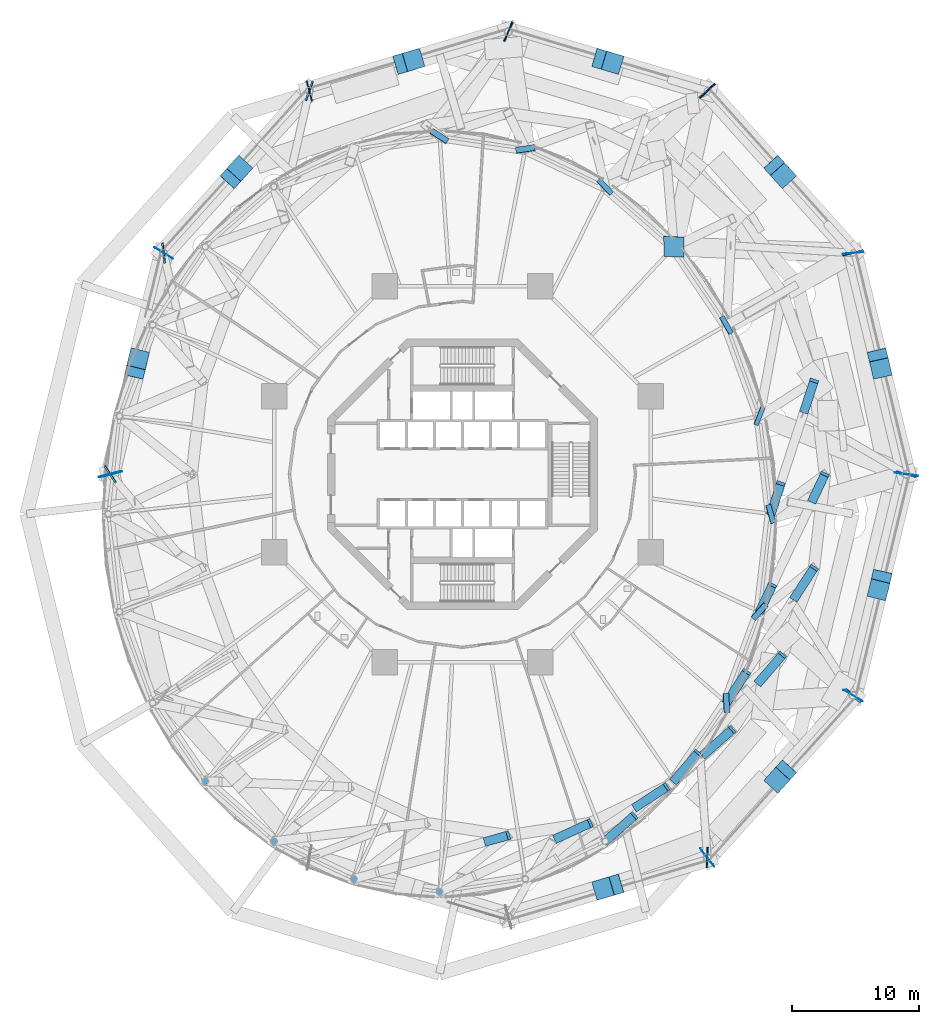
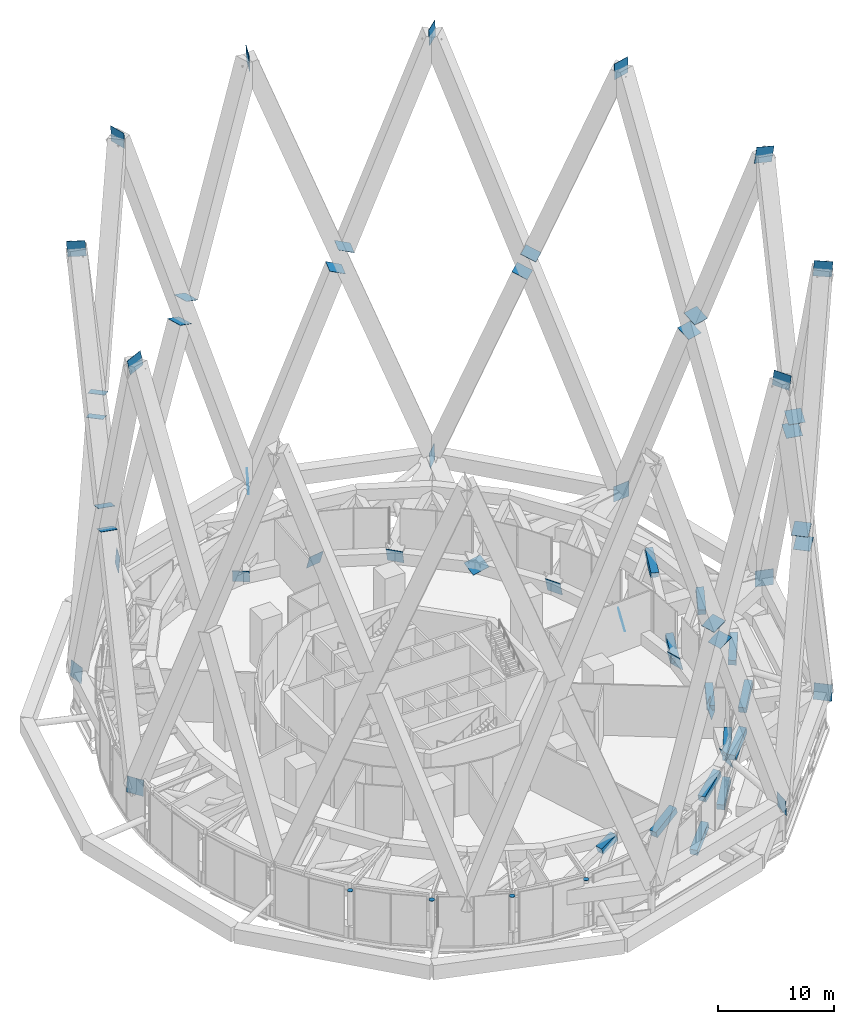
# One storey, part 41 of 49: 62 discrete accessories.
"""IFC4 building model written with IfcOpenShell, lengths in metres."""

from ifc_helpers import new_model, si_unit, direction, frame, origin, origin_2d, place, context, subcontext, project, spatial, rectangle, circle, extrude, material, layer, layer_set, type_object, element, save


model = new_model("IFC4")

# Units and contexts
model_context = context("Model", 3, precision=1e-05, world=origin(), true_north=direction((0.0, 1.0)))
body_context = subcontext(model_context, "Body", "Model", "MODEL_VIEW")
ifc_project = project(units=[si_unit("LENGTHUNIT", "METRE"), si_unit("AREAUNIT", "SQUARE_METRE"), si_unit("VOLUMEUNIT", "CUBIC_METRE"), si_unit("PLANEANGLEUNIT", "RADIAN"), si_unit("MASSUNIT", "GRAM", prefix="KILO")], contexts=[model_context])

# Site, building, storey
site_placement = place(None, origin())
site = spatial("IfcSite", under=ifc_project, at=site_placement, CompositionType="ELEMENT")
building_placement = place(site_placement, origin())
building = spatial("IfcBuilding", under=site, at=building_placement, Name="Nagisa Residences", CompositionType="ELEMENT")
storey_placement = place(building_placement, frame((0.0, 0.0, 160.300048828125)))
storey = spatial("IfcBuildingStorey", under=building, at=storey_placement, Name="L40", CompositionType="ELEMENT", Elevation=160.300048828125)

# Discrete accessories
ifc_material_1 = material(Name="Steel ASTM A572 Gr 50", Category="steel")
discrete_accessory_type_1 = type_object("IfcDiscreteAccessoryType", Name="Belt node casting BX 700x700x40", PredefinedType="BRACKET", material=ifc_material_1)
for number, where, z_axis, x_axis, name in (
    (1, (24.235107421875, -3.11767578125, 0.599853515625), (0.288629263133, 0.890242015177, 0.352366716472), (-0.951253505348, 0.3084100656, 0.0), "Belt node 3E01"),
    (2, (26.848876953125, 4.943359375, 3.7900390625), (0.288721463006, 0.890247145105, 0.352278210272), (-0.951225120687, 0.308497600922, 0.0), "Belt node 3E01"),
):
    element("IfcDiscreteAccessory", number, at=place(storey_placement, frame(where, z_axis=z_axis, x_axis=x_axis)), inside=storey, type_object=discrete_accessory_type_1, Name=name, PredefinedType="BRACKET", context=body_context, shape_type="SweptSolid", body=[
        extrude(rectangle(XDim=0.699951171875, YDim=0.699951171875, at=origin_2d()), origin(), (0.0, 0.0, 1.0), 2.696533203125),
    ])
discrete_accessory_1_placement = place(storey_placement, frame((1.826171875, -28.875732421875, 4.135009765625), z_axis=(0.914401170647, 0.258111313102, 0.311847798082), x_axis=(-0.271658352766, 0.962393754849, 0.0)))
element("IfcDiscreteAccessory", 3, at=discrete_accessory_1_placement, inside=storey, type_object=discrete_accessory_type_1, Name="Belt node 3E18", PredefinedType="BRACKET", context=body_context, shape_type="SweptSolid", body=[
    extrude(rectangle(XDim=0.699951171875, YDim=0.699951171875, at=origin_2d()), origin(), (0.0, 0.0, 1.0), 1.93994140625),
])
discrete_accessory_2_placement = place(storey_placement, frame((7.321533203125, -28.6484375, 3.7900390625), z_axis=(0.866875897266, 0.395769709546, 0.303137783433), x_axis=(-0.41531146918, 0.909679275112, 0.0)))
element("IfcDiscreteAccessory", 4, at=discrete_accessory_2_placement, inside=storey, type_object=discrete_accessory_type_1, Name="Belt node 3E19", PredefinedType="BRACKET", context=body_context, shape_type="SweptSolid", body=[
    extrude(rectangle(XDim=0.699951171875, YDim=0.699951171875, at=origin_2d()), origin(), (0.0, 0.0, 1.0), 3.1337890625),
])
discrete_accessory_3_placement = place(storey_placement, frame((13.5576171875, -26.188232421875, 3.81494140625), z_axis=(0.799851245247, 0.520793082897, 0.298349711384), x_axis=(-0.545643530625, 0.838017384955, 0.0)))
element("IfcDiscreteAccessory", 5, at=discrete_accessory_3_placement, inside=storey, type_object=discrete_accessory_type_1, Name="Belt node 3E20", PredefinedType="BRACKET", context=body_context, shape_type="SweptSolid", body=[
    extrude(rectangle(XDim=0.699951171875, YDim=0.699951171875, at=origin_2d()), origin(), (0.0, 0.0, 1.0), 3.1005859375),
])
for number, where, z_axis, x_axis, name in (
    (6, (11.217529296875, -28.834228515625, 0.599853515625), (0.716843383068, 0.630488690421, 0.297690401931), (-0.660431003277, 0.75088673574, 0.0), "Belt node 3E21"),
    (7, (18.901123046875, -22.07666015625, 3.7900390625), (0.716859703819, 0.63050304509, 0.297620690094), (-0.660431003277, 0.75088673574, 0.0), "Belt node 3E21"),
):
    element("IfcDiscreteAccessory", number, at=place(storey_placement, frame(where, z_axis=z_axis, x_axis=x_axis)), inside=storey, type_object=discrete_accessory_type_1, Name=name, PredefinedType="BRACKET", context=body_context, shape_type="SweptSolid", body=[
        extrude(rectangle(XDim=0.699951171875, YDim=0.699951171875, at=origin_2d()), origin(), (0.0, 0.0, 1.0), 3.19189453125),
    ])
for number, where, z_axis, x_axis, name in (
    (8, (16.609619140625, -24.115234375, 0.599853515625), (0.621462335046, 0.723089611503, 0.301539350427), (-0.75838982722, 0.651801250359, 0.0), "Belt node 3E22"),
    (9, (23.23583984375, -16.40576171875, 3.81494140625), (0.621462335046, 0.723089611503, 0.301539350427), (-0.75838982722, 0.651801250359, 0.0), "Belt node 3E22"),
):
    element("IfcDiscreteAccessory", number, at=place(storey_placement, frame(where, z_axis=z_axis, x_axis=x_axis)), inside=storey, type_object=discrete_accessory_type_1, Name=name, PredefinedType="BRACKET", context=body_context, shape_type="SweptSolid", body=[
        extrude(rectangle(XDim=0.699951171875, YDim=0.699951171875, at=origin_2d()), origin(), (0.0, 0.0, 1.0), 3.06787109375),
    ])
discrete_accessory_4_placement = place(storey_placement, frame((20.7470703125, -17.965087890625, 0.599853515625), z_axis=(0.516764902154, 0.797641449405, 0.311001855448), x_axis=(-0.839260985456, 0.543728791119, 0.0)))
element("IfcDiscreteAccessory", 10, at=discrete_accessory_4_placement, inside=storey, type_object=discrete_accessory_type_1, Name="Belt node 3E23", PredefinedType="BRACKET", context=body_context, shape_type="SweptSolid", body=[
    extrude(rectangle(XDim=0.699951171875, YDim=0.699951171875, at=origin_2d()), origin(), (0.0, 0.0, 1.0), 3.05517578125),
])
discrete_accessory_5_placement = place(storey_placement, frame((26.048583984375, -9.78125, 3.7900390625), z_axis=(0.516744804907, 0.7976903336, 0.310909855558), x_axis=(-0.839285839563, 0.54369042617, 0.0)))
element("IfcDiscreteAccessory", 11, at=discrete_accessory_5_placement, inside=storey, type_object=discrete_accessory_type_1, Name="Belt node 3E23", PredefinedType="BRACKET", context=body_context, shape_type="SweptSolid", body=[
    extrude(rectangle(XDim=0.699951171875, YDim=0.699951171875, at=origin_2d()), origin(), (0.0, 0.0, 1.0), 3.055419921875),
])
for number, where, z_axis, x_axis, name in (
    (12, (23.347900390625, -10.80322265625, 0.599853515625), (0.40511911802, 0.853697009905, 0.327230676274), (-0.903436150138, 0.428722663995, 0.0), "Belt node 3E24"),
    (13, (27.47802734375, -2.1005859375, 3.93505859375), (0.405215203417, 0.853690404066, 0.327128924013), (-0.903395478205, 0.428808360412, 0.0), "Belt node 3E24"),
):
    element("IfcDiscreteAccessory", number, at=place(storey_placement, frame(where, z_axis=z_axis, x_axis=x_axis)), inside=storey, type_object=discrete_accessory_type_1, Name=name, PredefinedType="BRACKET", context=body_context, shape_type="SweptSolid", body=[
        extrude(rectangle(XDim=0.699951171875, YDim=0.699951171875, at=origin_2d()), origin(), (0.0, 0.0, 1.0), 2.460693359375),
    ])
ifc_material_2 = material(Name="Steel ASTM A572 Gr 50", Category="steel")
ifc_layer_1 = layer(ifc_material_2, 0.030029296875)
ifc_layer_set_1 = layer_set([ifc_layer_1], Name="End plate")
discrete_accessory_type_2 = type_object("IfcDiscreteAccessoryType", Name="End plate", PredefinedType="ANCHORPLATE", material=ifc_layer_set_1)
for number, where, z_axis, x_axis, name in (
    (14, (-20.20947265625, -24.115234375, 4.737060546875), (0.0, 0.0, 1.0), (1.0, 0.0, 0.0), "End plate GP316"),
    (15, (-14.8173828125, -28.834228515625, 4.737060546875), (0.0, 0.0, 1.0), (1.0, 0.0, 0.0), "End plate GP317"),
    (16, (-8.538330078125, -31.80078125, 4.737060546875), (0.0, 0.0, 1.0), (1.0, 0.0, 0.0), "End plate GP318"),
    (17, (-1.800048828125, -32.812744140625, 4.737060546875), (0.0, 0.0, 1.0), (1.0, 0.0, 0.0), "End plate GP319"),
):
    element("IfcDiscreteAccessory", number, at=place(storey_placement, frame(where, z_axis=z_axis, x_axis=x_axis)), inside=storey, type_object=discrete_accessory_type_2, Name=name, PredefinedType="ANCHORPLATE", context=body_context, shape_type="SweptSolid", body=[
        extrude(circle(Radius=0.25390625, at=origin_2d()), origin(), (0.0, 0.0, 1.0), 0.02978515625),
    ])
ifc_material_3 = material(Name="Steel ASTM A572 Gr 50", Category="steel")
ifc_layer_2 = layer(ifc_material_3, 0.030029296875)
ifc_layer_set_2 = layer_set([ifc_layer_2], Name="Node plate")
discrete_accessory_type_3 = type_object("IfcDiscreteAccessoryType", Name="Node plate", PredefinedType="ANCHORPLATE", material=ifc_layer_set_2)
discrete_accessory_6_placement = place(storey_placement, frame((34.870849609375, -0.014404296875, 3.70068359375), z_axis=(0.276541602665, 0.95976203278, -0.048801459294), x_axis=(-0.960622804253, 0.277502167054, 0.014013394623)))
element("IfcDiscreteAccessory", 18, at=discrete_accessory_6_placement, inside=storey, type_object=discrete_accessory_type_3, Name="Node plate ST4B01", PredefinedType="ANCHORPLATE", context=body_context, shape_type="SweptSolid", body=[
    extrude(rectangle(XDim=1.6201171875, YDim=1.6201171875, at=origin_2d()), origin(), (0.0, 0.0, 1.0), 0.030029296875),
])
discrete_accessory_7_placement = place(storey_placement, frame((30.68359375, 17.40234375, 3.699951171875), z_axis=(0.089799658539, -0.995959849254, 0.0), x_axis=(-0.99595974817, -0.089799649425, 0.00045054146)))
element("IfcDiscreteAccessory", 19, at=discrete_accessory_7_placement, inside=storey, type_object=discrete_accessory_type_3, Name="Node plate ST4B02", PredefinedType="ANCHORPLATE", context=body_context, shape_type="SweptSolid", body=[
    extrude(rectangle(XDim=1.6201171875, YDim=1.6201171875, at=origin_2d()), origin(), (0.0, 0.0, 1.0), 0.02978515625),
])
for number, where, z_axis, x_axis, name in (
    (20, (19.226806640625, 30.126708984375, 3.69921875), (0.706267485008, -0.706267485008, 0.048708102414), (-0.707672566995, -0.70623148215, 0.020895730253), "Node plate ST4B03"),
    (21, (3.586669921875, 34.78173828125, 3.699462890625), (0.893954480553, -0.446977240277, 0.032507435656), (-0.447445113842, -0.894270841723, 0.008516556961), "Node plate ST4B04"),
):
    element("IfcDiscreteAccessory", number, at=place(storey_placement, frame(where, z_axis=z_axis, x_axis=x_axis)), inside=storey, type_object=discrete_accessory_type_3, Name=name, PredefinedType="ANCHORPLATE", context=body_context, shape_type="SweptSolid", body=[
        extrude(rectangle(XDim=1.6201171875, YDim=1.6201171875, at=origin_2d()), origin(), (0.0, 0.0, 1.0), 0.030029296875),
    ])
discrete_accessory_8_placement = place(storey_placement, frame((-12.051513671875, 30.12109375, 3.701171875), z_axis=(0.938783330173, -0.33469666554, -0.081633333059), x_axis=(-0.335107438249, -0.942136696926, 0.009024917533)))
element("IfcDiscreteAccessory", 22, at=discrete_accessory_8_placement, inside=storey, type_object=discrete_accessory_type_3, Name="Node plate ST4B05", PredefinedType="ANCHORPLATE", context=body_context, shape_type="SweptSolid", body=[
    extrude(rectangle(XDim=1.6201171875, YDim=1.6201171875, at=origin_2d()), origin(), (0.0, 0.0, 1.0), 0.02978515625),
])
for number, where, z_axis, x_axis, name in (
    (23, (-23.469970703125, 17.38916015625, 3.69873046875), (-0.990202332234, -0.11362977583, 0.081164125593), (0.114769262011, -0.993346754784, 0.009499539842), "Node plate ST4B06"),
    (24, (-27.66259765625, 0.00830078125, 3.69873046875), (-0.829295700621, -0.552863800414, 0.081303500061), (0.555361831366, -0.83154658825, 0.010173879837), "Node plate ST4B07"),
):
    element("IfcDiscreteAccessory", number, at=place(storey_placement, frame(where, z_axis=z_axis, x_axis=x_axis)), inside=storey, type_object=discrete_accessory_type_3, Name=name, PredefinedType="ANCHORPLATE", context=body_context, shape_type="SweptSolid", body=[
        extrude(rectangle(XDim=1.6201171875, YDim=1.6201171875, at=origin_2d()), origin(), (0.0, 0.0, 1.0), 0.030029296875),
    ])
discrete_accessory_9_placement = place(storey_placement, frame((19.22265625, -30.115478515625, 3.698974609375), z_axis=(0.997023554089, -0.040861621069, 0.065378593711), x_axis=(0.040534880871, 0.999158155664, 0.006316914001)))
element("IfcDiscreteAccessory", 25, at=discrete_accessory_9_placement, inside=storey, type_object=discrete_accessory_type_3, Name="Node plate ST4B11", PredefinedType="ANCHORPLATE", context=body_context, shape_type="SweptSolid", body=[
    extrude(rectangle(XDim=1.6201171875, YDim=1.6201171875, at=origin_2d()), origin(), (0.0, 0.0, 1.0), 0.02978515625),
])
discrete_accessory_10_placement = place(storey_placement, frame((30.694091796875, -17.375732421875, 3.697998046875), z_axis=(-0.610401983049, -0.781314538303, 0.130219089717), x_axis=(-0.783844636388, 0.619489511647, 0.042665336811)))
element("IfcDiscreteAccessory", 26, at=discrete_accessory_10_placement, inside=storey, type_object=discrete_accessory_type_3, Name="Node plate ST4B12", PredefinedType="ANCHORPLATE", context=body_context, shape_type="SweptSolid", body=[
    extrude(rectangle(XDim=1.6201171875, YDim=1.6201171875, at=origin_2d()), origin(), (0.0, 0.0, 1.0), 0.030029296875),
])
for number, where, z_axis, x_axis, name in (
    (27, (24.235107421875, -3.11767578125, 0.599853515625), (-0.925453945873, -0.267894563279, -0.267894563279), (0.278058076541, -0.960564264415, 0.0), "Node plate OB401"),
    (28, (23.347900390625, 4.56787109375, 0.599853515625), (-0.903365016715, 0.358090637256, -0.236014283646), (-0.368500941406, -0.92962737491, 0.0), "Node plate OB402"),
):
    element("IfcDiscreteAccessory", number, at=place(storey_placement, frame(where, z_axis=z_axis, x_axis=x_axis)), inside=storey, type_object=discrete_accessory_type_3, Name=name, PredefinedType="ANCHORPLATE", context=body_context, shape_type="SweptSolid", body=[
        extrude(rectangle(XDim=1.5, YDim=1.5, at=origin_2d()), origin(), (0.0, 0.0, 1.0), 0.030029296875),
    ])
discrete_accessory_11_placement = place(storey_placement, frame((20.7470703125, 11.729736328125, 0.599853515625), z_axis=(-0.84107559012, -0.473615380844, -0.261305037707), x_axis=(0.490662835246, -0.871349517764, 0.0)))
element("IfcDiscreteAccessory", 29, at=discrete_accessory_11_placement, inside=storey, type_object=discrete_accessory_type_3, Name="Node plate OB403", PredefinedType="ANCHORPLATE", context=body_context, shape_type="SweptSolid", body=[
    extrude(rectangle(XDim=1.5, YDim=1.5, at=origin_2d()), origin(), (0.0, 0.0, 1.0), 0.02978515625),
])
discrete_accessory_12_placement = place(storey_placement, frame((16.61279296875, 17.8828125, 0.585693359375), z_axis=(-0.220498180898, -0.19599838302, 0.955492117223), x_axis=(0.975378808606, -0.040199281026, 0.216841411006)))
element("IfcDiscreteAccessory", 30, at=discrete_accessory_12_placement, inside=storey, type_object=discrete_accessory_type_3, Name="Node plate OB404", PredefinedType="ANCHORPLATE", context=body_context, shape_type="SweptSolid", body=[
    extrude(rectangle(XDim=1.6201171875, YDim=1.6201171875, at=origin_2d()), origin(), (0.0, 0.0, 1.0), 0.02978515625),
])
discrete_accessory_13_placement = place(storey_placement, frame((11.217529296875, 22.598876953125, 0.599853515625), z_axis=(-0.701112842841, -0.660350468257, -0.269031672253), x_axis=(0.685628685841, -0.727951444227, 0.0)))
element("IfcDiscreteAccessory", 31, at=discrete_accessory_13_placement, inside=storey, type_object=discrete_accessory_type_3, Name="Node plate OB405", PredefinedType="ANCHORPLATE", context=body_context, shape_type="SweptSolid", body=[
    extrude(rectangle(XDim=1.5, YDim=1.5, at=origin_2d()), origin(), (0.0, 0.0, 1.0), 0.030029296875),
])
discrete_accessory_14_placement = place(storey_placement, frame((4.938232421875, 25.5654296875, 0.599853515625), z_axis=(0.138999153984, -0.940288394594, -0.310703991257), x_axis=(0.989249599377, 0.146236897299, 0.0)))
element("IfcDiscreteAccessory", 32, at=discrete_accessory_14_placement, inside=storey, type_object=discrete_accessory_type_3, Name="Node plate OB407", PredefinedType="ANCHORPLATE", context=body_context, shape_type="SweptSolid", body=[
    extrude(rectangle(XDim=1.5, YDim=1.5, at=origin_2d()), origin(), (0.0, 0.0, 1.0), 0.02978515625),
])
discrete_accessory_15_placement = place(storey_placement, frame((-1.800048828125, 26.577392578125, 0.599853515625), z_axis=(-0.521360059492, -0.798332591097, -0.301411284394), x_axis=(0.837270504562, -0.546788900939, 0.0)))
element("IfcDiscreteAccessory", 33, at=discrete_accessory_15_placement, inside=storey, type_object=discrete_accessory_type_3, Name="Node plate OB408", PredefinedType="ANCHORPLATE", context=body_context, shape_type="SweptSolid", body=[
    extrude(rectangle(XDim=1.5, YDim=1.5, at=origin_2d()), origin(), (0.0, 0.0, 1.0), 0.030029296875),
])
discrete_accessory_16_placement = place(storey_placement, frame((23.347900390625, -10.80322265625, 0.599853515625), z_axis=(-0.711562711977, 0.637952776255, -0.294439742887), x_axis=(-0.667545015752, -0.744569440646, 0.0)))
element("IfcDiscreteAccessory", 34, at=discrete_accessory_16_placement, inside=storey, type_object=discrete_accessory_type_3, Name="Node plate OB409", PredefinedType="ANCHORPLATE", context=body_context, shape_type="SweptSolid", body=[
    extrude(rectangle(XDim=1.5, YDim=1.5, at=origin_2d()), origin(), (0.0, 0.0, 1.0), 0.02978515625),
])
discrete_accessory_17_placement = place(storey_placement, frame((20.7470703125, -17.965087890625, 0.599853515625), z_axis=(-0.954941373276, -0.056649064516, -0.291338046084), x_axis=(0.059217928392, -0.998245078604, 0.0)))
element("IfcDiscreteAccessory", 35, at=discrete_accessory_17_placement, inside=storey, type_object=discrete_accessory_type_3, Name="Node plate OB410", PredefinedType="ANCHORPLATE", context=body_context, shape_type="SweptSolid", body=[
    extrude(rectangle(XDim=1.5, YDim=1.5, at=origin_2d()), origin(), (0.0, 0.0, 1.0), 0.0302734375),
])
discrete_accessory_18_placement = place(storey_placement, frame((30.688720703125, 17.373046875, 48.200439453125), z_axis=(-0.251957588699, 0.967192034037, -0.032510656606), x_axis=(-4.9045965e-05, -0.033607234366, -0.99943511615)))
element("IfcDiscreteAccessory", 36, at=discrete_accessory_18_placement, inside=storey, type_object=discrete_accessory_type_3, Name="Node plate CD4001", PredefinedType="ANCHORPLATE", context=body_context, shape_type="SweptSolid", body=[
    extrude(rectangle(XDim=1.6201171875, YDim=1.6201171875, at=origin_2d()), origin(), (0.0, 0.0, 1.0), 0.030029296875),
])
for number, where, z_axis, x_axis, name in (
    (37, (32.68701171875, 9.079345703125, 24.962890625), (0.089656370648, -0.358625482591, 0.929166023076), (0.970142500145, 0.242535625036, 0.0), "Node plate CD4002A"),
    (38, (32.872802734375, 8.30810546875, 26.93701171875), (-0.081322316893, 0.365950426021, -0.927074412585), (-0.976187060184, -0.216930457819, 0.0), "Node plate CD4002B"),
):
    element("IfcDiscreteAccessory", number, at=place(storey_placement, frame(where, z_axis=z_axis, x_axis=x_axis)), inside=storey, type_object=discrete_accessory_type_3, Name=name, PredefinedType="ANCHORPLATE", context=body_context, shape_type="SweptSolid", body=[
        extrude(rectangle(XDim=1.5, YDim=1.5, at=origin_2d()), origin(), (0.0, 0.0, 1.0), 0.030029296875),
    ])
for number, where, z_axis, x_axis, name in (
    (39, (34.872802734375, -0.014892578125, 48.2001953125), (0.145941681825, 0.989160287923, -0.016215742425), (-0.153324785333, 0.006422427688, -0.988154979052), "Node plate CD4002B"),
    (40, (19.247314453125, 30.104736328125, 48.20068359375), (-0.651354367783, 0.757199452547, -0.048851577584), (0.038899003825, -0.030974810634, -0.998762949156), "Node plate CD4003"),
):
    element("IfcDiscreteAccessory", number, at=place(storey_placement, frame(where, z_axis=z_axis, x_axis=x_axis)), inside=storey, type_object=discrete_accessory_type_3, Name=name, PredefinedType="ANCHORPLATE", context=body_context, shape_type="SweptSolid", body=[
        extrude(rectangle(XDim=1.6201171875, YDim=1.6201171875, at=origin_2d()), origin(), (0.0, 0.0, 1.0), 0.030029296875),
    ])
for number, where, z_axis, x_axis, name in (
    (41, (24.697265625, 24.045166015625, 24.924072265625), (0.243220148197, -0.267542163017, 0.932343901422), (0.739940073396, 0.672672793996, 0.0), "Node plate CD4004A"),
    (42, (25.22509765625, 23.458251953125, 26.975830078125), (-0.243220148197, 0.267542163017, -0.932343901422), (-0.739940073396, -0.672672793996, 0.0), "Node plate CD4004B"),
):
    element("IfcDiscreteAccessory", number, at=place(storey_placement, frame(where, z_axis=z_axis, x_axis=x_axis)), inside=storey, type_object=discrete_accessory_type_3, Name=name, PredefinedType="ANCHORPLATE", context=body_context, shape_type="SweptSolid", body=[
        extrude(rectangle(XDim=1.5, YDim=1.5, at=origin_2d()), origin(), (0.0, 0.0, 1.0), 0.030029296875),
    ])
discrete_accessory_19_placement = place(storey_placement, frame((3.614013671875, 34.769775390625, 48.200439453125), z_axis=(-0.936166767923, 0.350044965397, -0.032562322363), x_axis=(0.038379050049, 0.009691296037, -0.999216256522)))
element("IfcDiscreteAccessory", 43, at=discrete_accessory_19_placement, inside=storey, type_object=discrete_accessory_type_3, Name="Node plate CD4005", PredefinedType="ANCHORPLATE", context=body_context, shape_type="SweptSolid", body=[
    extrude(rectangle(XDim=1.6201171875, YDim=1.6201171875, at=origin_2d()), origin(), (0.0, 0.0, 1.0), 0.030029296875),
])
discrete_accessory_20_placement = place(storey_placement, frame((11.04248046875, 32.5576171875, 24.87939453125), z_axis=(0.334207049835, -0.097816697513, 0.93741001783), x_axis=(0.280898753271, 0.959737407008, 0.0)))
element("IfcDiscreteAccessory", 44, at=discrete_accessory_20_placement, inside=storey, type_object=discrete_accessory_type_3, Name="Node plate CD4006A", PredefinedType="ANCHORPLATE", context=body_context, shape_type="SweptSolid", body=[
    extrude(rectangle(XDim=1.5, YDim=1.5, at=origin_2d()), origin(), (0.0, 0.0, 1.0), 0.030029296875),
])
discrete_accessory_21_placement = place(storey_placement, frame((11.794921875, 32.33349609375, 27.0205078125), z_axis=(-0.326936641629, 0.098080992489, -0.939942844684), x_axis=(-0.287347885566, -0.957826285221, 0.0)))
element("IfcDiscreteAccessory", 45, at=discrete_accessory_21_placement, inside=storey, type_object=discrete_accessory_type_3, Name="Node plate CD4006B", PredefinedType="ANCHORPLATE", context=body_context, shape_type="SweptSolid", body=[
    extrude(rectangle(XDim=1.5, YDim=1.5, at=origin_2d()), origin(), (0.0, 0.0, 1.0), 0.02978515625),
])
discrete_accessory_22_placement = place(storey_placement, frame((-12.02294921875, 30.119873046875, 48.200439453125), z_axis=(-0.96518570672, -0.259545736261, -0.032443217033), x_axis=(0.028995525646, 0.017102042654, -0.9994332292)))
element("IfcDiscreteAccessory", 46, at=discrete_accessory_22_placement, inside=storey, type_object=discrete_accessory_type_3, Name="Node plate CD4007", PredefinedType="ANCHORPLATE", context=body_context, shape_type="SweptSolid", body=[
    extrude(rectangle(XDim=1.6201171875, YDim=1.6201171875, at=origin_2d()), origin(), (0.0, 0.0, 1.0), 0.030029296875),
])
for number, where, z_axis, x_axis, name in (
    (47, (-4.594970703125, 32.33349609375, 24.87939453125), (0.334207049835, 0.097816697513, 0.93741001783), (-0.280898753271, 0.959737407008, 0.0), "Node plate CD4008A"),
    (48, (-3.842529296875, 32.5576171875, 27.0205078125), (-0.334207049835, -0.097816697513, -0.93741001783), (0.280898753271, -0.959737407008, 0.0), "Node plate CD4008B"),
):
    element("IfcDiscreteAccessory", number, at=place(storey_placement, frame(where, z_axis=z_axis, x_axis=x_axis)), inside=storey, type_object=discrete_accessory_type_3, Name=name, PredefinedType="ANCHORPLATE", context=body_context, shape_type="SweptSolid", body=[
        extrude(rectangle(XDim=1.5, YDim=1.5, at=origin_2d()), origin(), (0.0, 0.0, 1.0), 0.030029296875),
    ])
discrete_accessory_23_placement = place(storey_placement, frame((-23.49267578125, 17.374755859375, 48.199951171875), z_axis=(0.520462828118, 0.853884327381, 0.0), x_axis=(0.060975430574, -0.037165976731, -0.997447084832)))
element("IfcDiscreteAccessory", 49, at=discrete_accessory_23_placement, inside=storey, type_object=discrete_accessory_type_3, Name="Node plate CD4009", PredefinedType="ANCHORPLATE", context=body_context, shape_type="SweptSolid", body=[
    extrude(rectangle(XDim=1.6201171875, YDim=1.6201171875, at=origin_2d()), origin(), (0.0, 0.0, 1.0), 0.030029296875),
])
for number, where, z_axis, x_axis, name in (
    (50, (-18.025146484375, 23.458251953125, 24.924072265625), (0.243220148197, 0.267542163017, 0.932343901422), (-0.739940073396, 0.672672793996, 0.0), "Node plate CD4010A"),
    (51, (-17.497314453125, 24.045166015625, 26.975830078125), (-0.243220148197, -0.267542163017, -0.932343901422), (0.739940073396, -0.672672793996, 0.0), "Node plate CD4010B"),
):
    element("IfcDiscreteAccessory", number, at=place(storey_placement, frame(where, z_axis=z_axis, x_axis=x_axis)), inside=storey, type_object=discrete_accessory_type_3, Name=name, PredefinedType="ANCHORPLATE", context=body_context, shape_type="SweptSolid", body=[
        extrude(rectangle(XDim=1.5, YDim=1.5, at=origin_2d()), origin(), (0.0, 0.0, 1.0), 0.030029296875),
    ])
discrete_accessory_24_placement = place(storey_placement, frame((-27.671142578125, -0.014404296875, 48.200439453125), z_axis=(-0.253953373579, 0.96666122846, -0.032768177236), x_axis=(0.189826733113, 0.01659253529, -0.981677390576)))
element("IfcDiscreteAccessory", 52, at=discrete_accessory_24_placement, inside=storey, type_object=discrete_accessory_type_3, Name="Node plate CD4011", PredefinedType="ANCHORPLATE", context=body_context, shape_type="SweptSolid", body=[
    extrude(rectangle(XDim=1.6201171875, YDim=1.6201171875, at=origin_2d()), origin(), (0.0, 0.0, 1.0), 0.02978515625),
])
for number, where, z_axis, x_axis, name in (
    (53, (-25.6728515625, 8.30810546875, 24.962890625), (0.089392496103, 0.365696574967, 0.92643132325), (-0.971399006497, 0.237453090477, 0.0), "Node plate CD4012A"),
    (54, (-25.487060546875, 9.079345703125, 26.93701171875), (-0.089656370648, -0.358625482591, -0.929166023076), (0.970142500145, -0.242535625036, 0.0), "Node plate CD4012B"),
):
    element("IfcDiscreteAccessory", number, at=place(storey_placement, frame(where, z_axis=z_axis, x_axis=x_axis)), inside=storey, type_object=discrete_accessory_type_3, Name=name, PredefinedType="ANCHORPLATE", context=body_context, shape_type="SweptSolid", body=[
        extrude(rectangle(XDim=1.5, YDim=1.5, at=origin_2d()), origin(), (0.0, 0.0, 1.0), 0.030029296875),
    ])
discrete_accessory_25_placement = place(storey_placement, frame((19.2255859375, -30.125244140625, 48.19970703125), z_axis=(0.794023497457, 0.607671043973, 0.016204561173), x_axis=(-0.06655251097, 0.113397100839, -0.991318243958)))
element("IfcDiscreteAccessory", 55, at=discrete_accessory_25_placement, inside=storey, type_object=discrete_accessory_type_3, Name="Node plate CD4019", PredefinedType="ANCHORPLATE", context=body_context, shape_type="SweptSolid", body=[
    extrude(rectangle(XDim=1.6201171875, YDim=1.6201171875, at=origin_2d()), origin(), (0.0, 0.0, 1.0), 0.030029296875),
])
discrete_accessory_26_placement = place(storey_placement, frame((11.794921875, -32.33349609375, 24.87939453125), z_axis=(-0.326936641629, -0.098080992489, 0.939942844684), x_axis=(0.287347885566, -0.957826285221, 0.0)))
element("IfcDiscreteAccessory", 56, at=discrete_accessory_26_placement, inside=storey, type_object=discrete_accessory_type_3, Name="Node plate CD4020A", PredefinedType="ANCHORPLATE", context=body_context, shape_type="SweptSolid", body=[
    extrude(rectangle(XDim=1.5, YDim=1.5, at=origin_2d()), origin(), (0.0, 0.0, 1.0), 0.02978515625),
])
discrete_accessory_27_placement = place(storey_placement, frame((11.04248046875, -32.5576171875, 27.0205078125), z_axis=(0.334207049835, 0.097816697513, -0.93741001783), x_axis=(-0.280898753271, 0.959737407008, 0.0)))
element("IfcDiscreteAccessory", 57, at=discrete_accessory_27_placement, inside=storey, type_object=discrete_accessory_type_3, Name="Node plate CD4020B", PredefinedType="ANCHORPLATE", context=body_context, shape_type="SweptSolid", body=[
    extrude(rectangle(XDim=1.5, YDim=1.5, at=origin_2d()), origin(), (0.0, 0.0, 1.0), 0.030029296875),
])
discrete_accessory_28_placement = place(storey_placement, frame((30.692626953125, -17.374755859375, 48.199951171875), z_axis=(-0.514495755428, -0.857492925713, 0.0), x_axis=(-0.062205864715, 0.037323518829, -0.99736522164)))
element("IfcDiscreteAccessory", 58, at=discrete_accessory_28_placement, inside=storey, type_object=discrete_accessory_type_3, Name="Node plate CD4021", PredefinedType="ANCHORPLATE", context=body_context, shape_type="SweptSolid", body=[
    extrude(rectangle(XDim=1.6201171875, YDim=1.6201171875, at=origin_2d()), origin(), (0.0, 0.0, 1.0), 0.02978515625),
])
for number, where, z_axis, x_axis, name in (
    (59, (25.22509765625, -23.458251953125, 24.924072265625), (-0.243220148197, -0.267542163017, 0.932343901422), (0.739940073396, -0.672672793996, 0.0), "Node plate CD4022A"),
    (60, (24.697265625, -24.045166015625, 26.975830078125), (0.243220148197, 0.267542163017, -0.932343901422), (-0.739940073396, 0.672672793996, 0.0), "Node plate CD4022B"),
    (61, (32.872802734375, -8.30810546875, 24.962890625), (-0.081322316893, -0.365950426021, 0.927074412585), (0.976187060184, -0.216930457819, 0.0), "Node plate CD4024A"),
    (62, (32.68701171875, -9.079345703125, 26.93701171875), (0.089656370648, 0.358625482591, -0.929166023076), (-0.970142500145, 0.242535625036, 0.0), "Node plate CD4024B"),
):
    element("IfcDiscreteAccessory", number, at=place(storey_placement, frame(where, z_axis=z_axis, x_axis=x_axis)), inside=storey, type_object=discrete_accessory_type_3, Name=name, PredefinedType="ANCHORPLATE", context=body_context, shape_type="SweptSolid", body=[
        extrude(rectangle(XDim=1.5, YDim=1.5, at=origin_2d()), origin(), (0.0, 0.0, 1.0), 0.030029296875),
    ])

save(model, "model.ifc")
